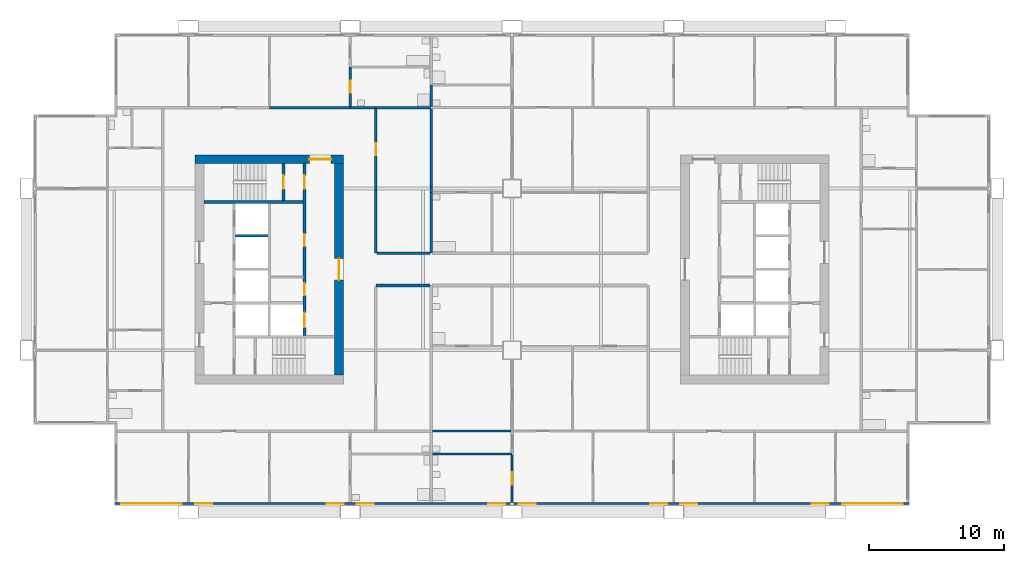
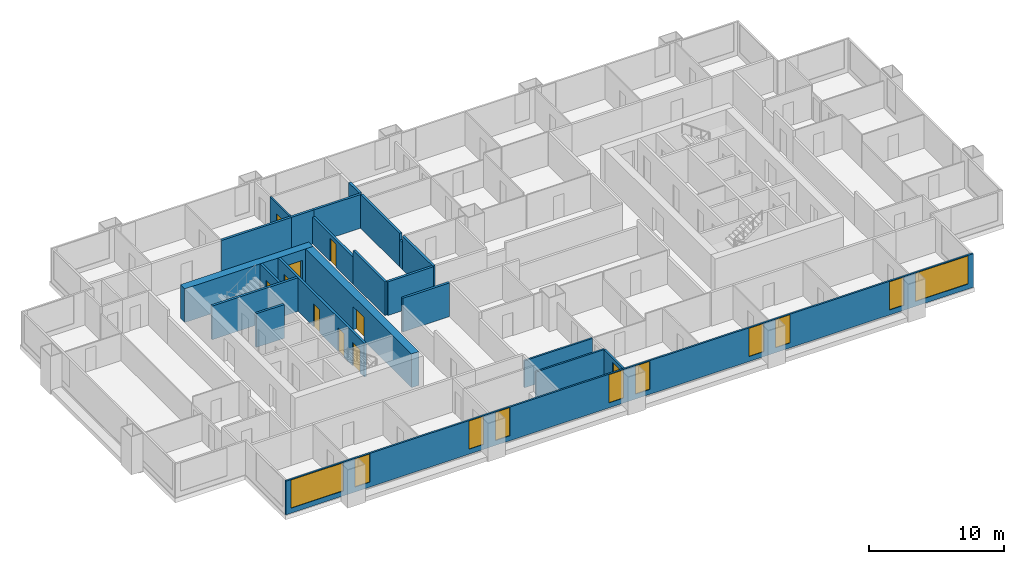
# One storey, part 4 of 11: 22 walls, 10 doors, 10 windows, 20 openings.
"""IFC4 building model written with IfcOpenShell, lengths in metres."""

from ifc_helpers import new_model, si_unit, direction, frame, frame_2d, origin, place, context, subcontext, project, spatial, rectangle, extrude, material, layer, layer_set, type_object, element, fill, save


model = new_model("IFC4")

# Units and contexts
model_context = context("Model", 3, precision=1e-05, world=origin(), true_north=direction((0.0, 1.0)))
body_context = subcontext(model_context, "Body", "Model", "MODEL_VIEW")
ifc_project = project(units=[si_unit("LENGTHUNIT", "METRE"), si_unit("AREAUNIT", "SQUARE_METRE"), si_unit("VOLUMEUNIT", "CUBIC_METRE"), si_unit("PLANEANGLEUNIT", "RADIAN"), si_unit("MASSUNIT", "GRAM", prefix="KILO")], contexts=[model_context])

# Site, building, storey
site_placement = place(None, origin())
site = spatial("IfcSite", under=ifc_project, at=site_placement, CompositionType="ELEMENT")
building_placement = place(site_placement, origin())
building = spatial("IfcBuilding", under=site, at=building_placement, Name="Kitamizu Gate Tower and Museum", CompositionType="ELEMENT")
storey_placement = place(building_placement, frame((0.0, 0.0, 106.949951171875)))
storey = spatial("IfcBuildingStorey", under=building, at=storey_placement, Name="L27", CompositionType="ELEMENT", Elevation=106.949951171875)

# Wall, opening, door
ifc_material_1 = material(Name="Concrete Fc60", Category="concrete")
ifc_layer_1 = layer(ifc_material_1, 0.64990234375)
ifc_layer_set_1 = layer_set([ifc_layer_1], Name="Concrete Fc60")
wall_type_1 = type_object("IfcWallType", Name="Core wall 650", PredefinedType="SHEAR", material=ifc_layer_set_1)
wall_1_placement = place(storey_placement, frame((12.5, 38.175048828125, 0.0), z_axis=(0.0, 0.0, 1.0), x_axis=(1.0, 0.0, 0.0)))
wall_1 = element("IfcWall", 1, at=wall_1_placement, inside=storey, type_object=wall_type_1, Name="Core wall WN", PredefinedType="SHEAR", context=body_context, shape_type="SweptSolid", body=[
    extrude(rectangle(XDim=11.0, YDim=0.64990234375, at=frame_2d((5.5, 0.0))), origin(), (0.0, 0.0, 1.0), 3.050048828125),
])
opening_1_placement = place(wall_1_placement, frame((8.47509765625, 0.0, 0.0)))
opening_1 = element("IfcOpeningElement", 2, at=opening_1_placement, cuts=wall_1, Name="Opening L27-060", PredefinedType="OPENING", context=body_context, shape_type="SweptSolid", body=[
    extrude(rectangle(XDim=1.60009765625, YDim=2.10009765625, at=frame_2d((0.800048828125, 1.050048828125))), frame((0.0, 0.3349609375, 0.0), z_axis=(0.0, -1.0, 0.0), x_axis=(1.0, 0.0, 0.0)), (0.0, 0.0, 1.0), 0.669921875),
])
ifc_material_2 = material(Name="Timber door set", Category="wood")
door_type_1 = type_object("IfcDoorType", Name="Entrance door 1600", OperationType="DOUBLE_DOOR_SINGLE_SWING", PredefinedType="DOOR", material=ifc_material_2)
door_1_placement = place(opening_1_placement, origin())
door_1 = element("IfcDoor", 3, at=door_1_placement, inside=storey, type_object=door_type_1, Name="Lobby door L27-060", OperationType="DOUBLE_DOOR_SINGLE_SWING", OverallHeight=2.10009765625, OverallWidth=1.60009765625, PredefinedType="DOOR", context=body_context, shape_type="SweptSolid", body=[
    extrude(rectangle(XDim=1.60009765625, YDim=2.10009765625, at=frame_2d((0.800048828125, 1.050048828125))), frame((0.0, 0.02490234375, 0.0), z_axis=(0.0, -1.0, 0.0), x_axis=(1.0, 0.0, 0.0)), (0.0, 0.0, 1.0), 0.050048828125),
])
fill(opening_1, door_1)

wall_2_placement = place(storey_placement, frame((23.175048828125, 22.14990234375, 0.0), z_axis=(0.0, 0.0, 1.0), x_axis=(0.0, 1.0, 0.0)))
wall_2 = element("IfcWall", 4, at=wall_2_placement, inside=storey, type_object=wall_type_1, Name="Core wall WARC", PredefinedType="SHEAR", context=body_context, shape_type="SweptSolid", body=[
    extrude(rectangle(XDim=15.7001953125, YDim=0.64990234375, at=frame_2d((7.85009765625, 0.0))), origin(), (0.0, 0.0, 1.0), 3.050048828125),
])
opening_2_placement = place(wall_2_placement, frame((7.050048828125, 0.0, 0.0)))
opening_2 = element("IfcOpeningElement", 5, at=opening_2_placement, cuts=wall_2, Name="Opening L27-061", PredefinedType="OPENING", context=body_context, shape_type="SweptSolid", body=[
    extrude(rectangle(XDim=1.60009765625, YDim=2.10009765625, at=frame_2d((0.800048828125, 1.050048828125))), frame((0.0, 0.3349609375, 0.0), z_axis=(0.0, -1.0, 0.0), x_axis=(1.0, 0.0, 0.0)), (0.0, 0.0, 1.0), 0.669921875),
])
door_2_placement = place(opening_2_placement, origin())
door_2 = element("IfcDoor", 6, at=door_2_placement, inside=storey, type_object=door_type_1, Name="Lobby door L27-061", OperationType="DOUBLE_DOOR_SINGLE_SWING", OverallHeight=2.10009765625, OverallWidth=1.60009765625, PredefinedType="DOOR", context=body_context, shape_type="SweptSolid", body=[
    extrude(rectangle(XDim=1.60009765625, YDim=2.10009765625, at=frame_2d((0.800048828125, 1.050048828125))), frame((0.0, 0.02490234375, 0.0), z_axis=(0.0, -1.0, 0.0), x_axis=(1.0, 0.0, 0.0)), (0.0, 0.0, 1.0), 0.050048828125),
])
fill(opening_2, door_2)

# Wall
ifc_material_3 = material(Name="Gypsum board on galvanised stud")
ifc_layer_2 = layer(ifc_material_3, 0.14990234375)
ifc_layer_set_2 = layer_set([ifc_layer_2], Name="Gypsum board on galvanised stud")
wall_type_2 = type_object("IfcWallType", Name="Partition 150", PredefinedType="PARTITIONING", material=ifc_layer_set_2)
wall_3_placement = place(storey_placement, frame((36.0, 16.320068359375, 0.0), z_axis=(0.0, 0.0, 1.0), x_axis=(-1.0, 0.0, 0.0)))
element("IfcWall", 7, at=wall_3_placement, inside=storey, type_object=wall_type_2, Name="Partition L27-040", PredefinedType="PARTITIONING", context=body_context, shape_type="SweptSolid", body=[
    extrude(rectangle(XDim=5.89990234375, YDim=0.14990234375, at=frame_2d((2.949951171875, 0.0))), origin(), (0.0, 0.0, 1.0), 2.449951171875),
])

# Wall, opening, door
wall_4_placement = place(storey_placement, frame((36.0, 12.719970703125, 0.0), z_axis=(0.0, 0.0, 1.0), x_axis=(0.0, 1.0, 0.0)))
wall_4 = element("IfcWall", 8, at=wall_4_placement, inside=storey, type_object=wall_type_2, Name="Partition L27-041", PredefinedType="PARTITIONING", context=body_context, shape_type="SweptSolid", body=[
    extrude(rectangle(XDim=3.525146484375, YDim=0.14990234375, at=frame_2d((1.7626953125, 0.0))), origin(), (0.0, 0.0, 1.0), 2.449951171875),
])
opening_3_placement = place(wall_4_placement, frame((1.3125, 0.0, 0.0)))
opening_3 = element("IfcOpeningElement", 9, at=opening_3_placement, cuts=wall_4, Name="Opening L27-022", PredefinedType="OPENING", context=body_context, shape_type="SweptSolid", body=[
    extrude(rectangle(XDim=0.89990234375, YDim=2.10009765625, at=frame_2d((0.449951171875, 1.050048828125))), frame((0.0, 0.0849609375, 0.0), z_axis=(0.0, -1.0, 0.0), x_axis=(1.0, 0.0, 0.0)), (0.0, 0.0, 1.0), 0.169921875),
])
ifc_material_4 = material(Name="Timber door set", Category="wood")
door_type_2 = type_object("IfcDoorType", Name="Bathroom door 900", OperationType="NOTDEFINED", PredefinedType="DOOR", material=ifc_material_4)
door_3_placement = place(opening_3_placement, origin())
door_3 = element("IfcDoor", 10, at=door_3_placement, inside=storey, type_object=door_type_2, Name="Bathroom door L27-022", OperationType="SINGLE_SWING_RIGHT", OverallHeight=2.10009765625, OverallWidth=0.89990234375, PredefinedType="DOOR", context=body_context, shape_type="SweptSolid", body=[
    extrude(rectangle(XDim=0.89990234375, YDim=2.10009765625, at=frame_2d((0.449951171875, 1.050048828125))), frame((0.0, 0.02490234375, 0.0), z_axis=(0.0, -1.0, 0.0), x_axis=(1.0, 0.0, 0.0)), (0.0, 0.0, 1.0), 0.050048828125),
])
fill(opening_3, door_3)

# Wall
wall_5_placement = place(storey_placement, frame((35.925048828125, 18.0, 0.0), z_axis=(0.0, 0.0, 1.0), x_axis=(-1.0, 0.0, 0.0)))
element("IfcWall", 11, at=wall_5_placement, inside=storey, type_object=wall_type_2, Name="Partition L27-043", PredefinedType="PARTITIONING", context=body_context, shape_type="SweptSolid", body=[
    extrude(rectangle(XDim=5.824951171875, YDim=0.14990234375, at=frame_2d((2.91259765625, 0.0))), origin(), (0.0, 0.0, 1.0), 2.449951171875),
])

# Wall, opening, door
wall_6_placement = place(storey_placement, frame((24.0, 42.10009765625, 0.0), z_axis=(0.0, 0.0, 1.0), x_axis=(0.0, 1.0, 0.0)))
wall_6 = element("IfcWall", 12, at=wall_6_placement, inside=storey, type_object=wall_type_2, Name="Partition L27-092", PredefinedType="PARTITIONING", context=body_context, shape_type="SweptSolid", body=[
    extrude(rectangle(XDim=2.89990234375, YDim=0.14990234375, at=frame_2d((1.449951171875, 0.0))), origin(), (0.0, 0.0, 1.0), 3.050048828125),
])
opening_4_placement = place(wall_6_placement, frame((1.0, 0.0, 0.0)))
opening_4 = element("IfcOpeningElement", 13, at=opening_4_placement, cuts=wall_6, Name="Opening L27-037", PredefinedType="OPENING", context=body_context, shape_type="SweptSolid", body=[
    extrude(rectangle(XDim=0.89990234375, YDim=2.10009765625, at=frame_2d((0.449951171875, 1.050048828125))), frame((0.0, 0.0849609375, 0.0), z_axis=(0.0, -1.0, 0.0), x_axis=(1.0, 0.0, 0.0)), (0.0, 0.0, 1.0), 0.169921875),
])
door_4_placement = place(opening_4_placement, frame((0.89990234375, 0.0, 0.0), x_axis=(-1.0, 0.0, 0.0)))
door_4 = element("IfcDoor", 14, at=door_4_placement, inside=storey, type_object=door_type_2, Name="Bathroom door L27-037", OperationType="SINGLE_SWING_LEFT", OverallHeight=2.10009765625, OverallWidth=0.89990234375, PredefinedType="DOOR", context=body_context, shape_type="SweptSolid", body=[
    extrude(rectangle(XDim=0.89990234375, YDim=2.10009765625, at=frame_2d((0.449951171875, 1.050048828125))), frame((0.0, 0.02490234375, 0.0), z_axis=(0.0, -1.0, 0.0), x_axis=(1.0, 0.0, 0.0)), (0.0, 0.0, 1.0), 0.050048828125),
])
fill(opening_4, door_4)

# Walls
ifc_material_5 = material(Name="Gypsum board on galvanised stud")
ifc_layer_3 = layer(ifc_material_5, 0.199951171875)
ifc_layer_set_3 = layer_set([ifc_layer_3], Name="Gypsum board on galvanised stud")
wall_type_3 = type_object("IfcWallType", Name="Partition 200", PredefinedType="PARTITIONING", material=ifc_layer_set_3)
wall_7_placement = place(storey_placement, frame((29.89990234375, 28.800048828125, 0.0), z_axis=(0.0, 0.0, 1.0), x_axis=(-1.0, 0.0, 0.0)))
element("IfcWall", 15, at=wall_7_placement, inside=storey, type_object=wall_type_3, Name="Partition L27-016", PredefinedType="PARTITIONING", context=body_context, shape_type="SweptSolid", body=[
    extrude(rectangle(XDim=4.0, YDim=0.199951171875, at=frame_2d((2.0, 0.0))), origin(), (0.0, 0.0, 1.0), 3.050048828125),
])
wall_8_placement = place(storey_placement, frame((18.0, 42.0, 0.0), z_axis=(0.0, 0.0, 1.0), x_axis=(1.0, 0.0, 0.0)))
element("IfcWall", 16, at=wall_8_placement, inside=storey, type_object=wall_type_3, Name="Partition L27-094", PredefinedType="PARTITIONING", context=body_context, shape_type="SweptSolid", body=[
    extrude(rectangle(XDim=6.0, YDim=0.199951171875, at=frame_2d((3.0, 0.0))), origin(), (0.0, 0.0, 1.0), 3.050048828125),
])
wall_9_placement = place(storey_placement, frame((25.89990234375, 42.0, 0.0), z_axis=(0.0, 0.0, 1.0), x_axis=(1.0, 0.0, 0.0)))
element("IfcWall", 17, at=wall_9_placement, inside=storey, type_object=wall_type_3, Name="Partition L27-096", PredefinedType="PARTITIONING", context=body_context, shape_type="SweptSolid", body=[
    extrude(rectangle(XDim=4.10009765625, YDim=0.199951171875, at=frame_2d((2.050048828125, 0.0))), origin(), (0.0, 0.0, 1.0), 3.050048828125),
])
wall_10_placement = place(storey_placement, frame((30.0, 42.10009765625, 0.0), z_axis=(0.0, 0.0, 1.0), x_axis=(0.0, 1.0, 0.0)))
element("IfcWall", 18, at=wall_10_placement, inside=storey, type_object=wall_type_3, Name="Partition L27-098", PredefinedType="PARTITIONING", context=body_context, shape_type="SweptSolid", body=[
    extrude(rectangle(XDim=1.579833984375, YDim=0.199951171875, at=frame_2d((0.7900390625, 0.0))), origin(), (0.0, 0.0, 1.0), 3.050048828125),
])
wall_11_placement = place(storey_placement, frame((24.0, 42.0, 0.0), z_axis=(0.0, 0.0, 1.0), x_axis=(1.0, 0.0, 0.0)))
element("IfcWall", 19, at=wall_11_placement, inside=storey, type_object=wall_type_3, Name="Partition L27-099", PredefinedType="PARTITIONING", context=body_context, shape_type="SweptSolid", body=[
    extrude(rectangle(XDim=1.89990234375, YDim=0.199951171875, at=frame_2d((0.949951171875, 0.0))), origin(), (0.0, 0.0, 1.0), 3.050048828125),
])
wall_12_placement = place(storey_placement, frame((30.0, 35.699951171875, 0.0), z_axis=(0.0, 0.0, 1.0), x_axis=(0.0, 1.0, 0.0)))
element("IfcWall", 20, at=wall_12_placement, inside=storey, type_object=wall_type_3, Name="Partition L27-101", PredefinedType="PARTITIONING", context=body_context, shape_type="SweptSolid", body=[
    extrude(rectangle(XDim=0.400146484375, YDim=0.199951171875, at=frame_2d((0.2001953125, 0.0))), origin(), (0.0, 0.0, 1.0), 2.449951171875),
])
wall_13_placement = place(storey_placement, frame((30.0, 36.10009765625, 0.0), z_axis=(0.0, 0.0, 1.0), x_axis=(0.0, 1.0, 0.0)))
element("IfcWall", 21, at=wall_13_placement, inside=storey, type_object=wall_type_3, Name="Partition L27-102", PredefinedType="PARTITIONING", context=body_context, shape_type="SweptSolid", body=[
    extrude(rectangle(XDim=5.7998046875, YDim=0.199951171875, at=frame_2d((2.89990234375, 0.0))), origin(), (0.0, 0.0, 1.0), 3.050048828125),
])
wall_14_placement = place(storey_placement, frame((30.0, 31.199951171875, 0.0), z_axis=(0.0, 0.0, 1.0), x_axis=(0.0, 1.0, 0.0)))
element("IfcWall", 22, at=wall_14_placement, inside=storey, type_object=wall_type_3, Name="Partition L27-103", PredefinedType="PARTITIONING", context=body_context, shape_type="SweptSolid", body=[
    extrude(rectangle(XDim=4.5, YDim=0.199951171875, at=frame_2d((2.25, 0.0))), origin(), (0.0, 0.0, 1.0), 3.050048828125),
])

# Wall, opening, door
wall_15_placement = place(storey_placement, frame((25.89990234375, 41.89990234375, 0.0), z_axis=(0.0, 0.0, 1.0), x_axis=(0.0, -1.0, 0.0)))
wall_15 = element("IfcWall", 23, at=wall_15_placement, inside=storey, type_object=wall_type_3, Name="Partition L27-104", PredefinedType="PARTITIONING", context=body_context, shape_type="SweptSolid", body=[
    extrude(rectangle(XDim=6.0, YDim=0.199951171875, at=frame_2d((3.0, 0.0))), origin(), (0.0, 0.0, 1.0), 2.449951171875),
])
opening_5_placement = place(wall_15_placement, frame((2.550048828125, 0.0, 0.0)))
opening_5 = element("IfcOpeningElement", 24, at=opening_5_placement, cuts=wall_15, Name="Opening L27-052", PredefinedType="OPENING", context=body_context, shape_type="SweptSolid", body=[
    extrude(rectangle(XDim=0.89990234375, YDim=2.10009765625, at=frame_2d((0.449951171875, 1.050048828125))), frame((0.0, 0.10986328125, 0.0), z_axis=(0.0, -1.0, 0.0), x_axis=(1.0, 0.0, 0.0)), (0.0, 0.0, 1.0), 0.219970703125),
])
ifc_material_6 = material(Name="Timber door set", Category="wood")
door_type_3 = type_object("IfcDoorType", Name="Room door 900", OperationType="NOTDEFINED", PredefinedType="DOOR", material=ifc_material_6)
door_5_placement = place(opening_5_placement, origin())
door_5 = element("IfcDoor", 25, at=door_5_placement, inside=storey, type_object=door_type_3, Name="Door L27-052", OperationType="SINGLE_SWING_LEFT", OverallHeight=2.10009765625, OverallWidth=0.89990234375, PredefinedType="DOOR", context=body_context, shape_type="SweptSolid", body=[
    extrude(rectangle(XDim=0.89990234375, YDim=2.10009765625, at=frame_2d((0.449951171875, 1.050048828125))), frame((0.0, 0.02490234375, 0.0), z_axis=(0.0, -1.0, 0.0), x_axis=(1.0, 0.0, 0.0)), (0.0, 0.0, 1.0), 0.050048828125),
])
fill(opening_5, door_5)

# Walls
wall_16_placement = place(storey_placement, frame((25.89990234375, 35.89990234375, 0.0), z_axis=(0.0, 0.0, 1.0), x_axis=(0.0, -1.0, 0.0)))
element("IfcWall", 26, at=wall_16_placement, inside=storey, type_object=wall_type_3, Name="Partition L27-105", PredefinedType="PARTITIONING", context=body_context, shape_type="SweptSolid", body=[
    extrude(rectangle(XDim=4.699951171875, YDim=0.199951171875, at=frame_2d((2.35009765625, 0.0))), origin(), (0.0, 0.0, 1.0), 3.050048828125),
])
wall_17_placement = place(storey_placement, frame((26.0, 31.199951171875, 0.0), z_axis=(0.0, 0.0, 1.0), x_axis=(1.0, 0.0, 0.0)))
element("IfcWall", 27, at=wall_17_placement, inside=storey, type_object=wall_type_3, Name="Partition L27-106", PredefinedType="PARTITIONING", context=body_context, shape_type="SweptSolid", body=[
    extrude(rectangle(XDim=3.89990234375, YDim=0.199951171875, at=frame_2d((1.949951171875, 0.0))), origin(), (0.0, 0.0, 1.0), 3.050048828125),
])

# Wall, openings, doors
ifc_material_7 = material(Name="Concrete Fc42", Category="concrete")
ifc_layer_4 = layer(ifc_material_7, 0.199951171875)
ifc_layer_set_4 = layer_set([ifc_layer_4], Name="Concrete Fc42")
wall_type_4 = type_object("IfcWallType", Name="Shaft wall 200", PredefinedType="SOLIDWALL", material=ifc_layer_set_4)
wall_18_placement = place(storey_placement, frame((20.60009765625, 25.10009765625, 0.0), z_axis=(0.0, 0.0, 1.0), x_axis=(0.0, 1.0, 0.0)))
wall_18 = element("IfcWall", 28, at=wall_18_placement, inside=storey, type_object=wall_type_4, Name="Shaft wall WEAST", PredefinedType="SOLIDWALL", context=body_context, shape_type="SweptSolid", body=[
    extrude(rectangle(XDim=12.75, YDim=0.199951171875, at=frame_2d((6.375, 0.0))), origin(), (0.0, 0.0, 1.0), 3.050048828125),
])
opening_6_placement = place(wall_18_placement, frame((0.60009765625, 0.0, 0.0)))
opening_6 = element("IfcOpeningElement", 29, at=opening_6_placement, cuts=wall_18, Name="Opening LD", PredefinedType="OPENING", context=body_context, shape_type="SweptSolid", body=[
    extrude(rectangle(XDim=1.10009765625, YDim=2.10009765625, at=frame_2d((0.550048828125, 1.050048828125))), frame((0.0, 0.10986328125, 0.0), z_axis=(0.0, -1.0, 0.0), x_axis=(1.0, 0.0, 0.0)), (0.0, 0.0, 1.0), 0.219970703125),
])
opening_7_placement = place(wall_18_placement, frame((10.875, 0.0, 0.0)))
opening_7 = element("IfcOpeningElement", 30, at=opening_7_placement, cuts=wall_18, Name="Opening L27-055", PredefinedType="OPENING", context=body_context, shape_type="SweptSolid", body=[
    extrude(rectangle(XDim=1.0, YDim=2.10009765625, at=frame_2d((0.5, 1.050048828125))), frame((0.0, 0.10986328125, 0.0), z_axis=(0.0, -1.0, 0.0), x_axis=(1.0, 0.0, 0.0)), (0.0, 0.0, 1.0), 0.219970703125),
])
opening_8_placement = place(wall_18_placement, frame((2.96240234375, 0.0, 0.0)))
opening_8 = element("IfcOpeningElement", 31, at=opening_8_placement, cuts=wall_18, Name="Opening L27-062", PredefinedType="OPENING", context=body_context, shape_type="SweptSolid", body=[
    extrude(rectangle(XDim=0.89990234375, YDim=2.10009765625, at=frame_2d((0.449951171875, 1.050048828125))), frame((0.0, 0.10986328125, 0.0), z_axis=(0.0, -1.0, 0.0), x_axis=(1.0, 0.0, 0.0)), (0.0, 0.0, 1.0), 0.219970703125),
])
opening_9_placement = place(wall_18_placement, frame((6.612548828125, 0.0, 0.0)))
opening_9 = element("IfcOpeningElement", 32, at=opening_9_placement, cuts=wall_18, Name="Opening L27-063", PredefinedType="OPENING", context=body_context, shape_type="SweptSolid", body=[
    extrude(rectangle(XDim=0.89990234375, YDim=2.10009765625, at=frame_2d((0.449951171875, 1.050048828125))), frame((0.0, 0.10986328125, 0.0), z_axis=(0.0, -1.0, 0.0), x_axis=(1.0, 0.0, 0.0)), (0.0, 0.0, 1.0), 0.219970703125),
])
ifc_material_8 = material(Name="Hollow metal door set")
door_type_4 = type_object("IfcDoorType", Name="Fire door 1000", OperationType="NOTDEFINED", PredefinedType="DOOR", material=ifc_material_8)
door_6_placement = place(opening_7_placement, origin())
door_6 = element("IfcDoor", 33, at=door_6_placement, inside=storey, type_object=door_type_4, Name="Stair lobby door L27-055", OperationType="SINGLE_SWING_RIGHT", OverallHeight=2.10009765625, OverallWidth=1.0, PredefinedType="DOOR", context=body_context, shape_type="SweptSolid", body=[
    extrude(rectangle(XDim=1.0, YDim=2.10009765625, at=frame_2d((0.5, 1.050048828125))), frame((0.0, 0.02490234375, 0.0), z_axis=(0.0, -1.0, 0.0), x_axis=(1.0, 0.0, 0.0)), (0.0, 0.0, 1.0), 0.050048828125),
])
fill(opening_7, door_6)
ifc_material_9 = material(Name="Hollow metal door set")
door_type_5 = type_object("IfcDoorType", Name="Landing door 1100", OperationType="SLIDING_TO_LEFT", PredefinedType="DOOR", material=ifc_material_9)
door_7_placement = place(opening_6_placement, origin())
door_7 = element("IfcDoor", 34, at=door_7_placement, inside=storey, type_object=door_type_5, Name="Landing door WSV1", OperationType="SLIDING_TO_LEFT", OverallHeight=2.10009765625, OverallWidth=1.10009765625, PredefinedType="DOOR", context=body_context, shape_type="SweptSolid", body=[
    extrude(rectangle(XDim=1.10009765625, YDim=2.10009765625, at=frame_2d((0.550048828125, 1.050048828125))), frame((0.0, 0.02490234375, 0.0), z_axis=(0.0, -1.0, 0.0), x_axis=(1.0, 0.0, 0.0)), (0.0, 0.0, 1.0), 0.050048828125),
])
fill(opening_6, door_7)
ifc_material_10 = material(Name="Timber door set", Category="wood")
door_type_6 = type_object("IfcDoorType", Name="Service door 900", OperationType="NOTDEFINED", PredefinedType="DOOR", material=ifc_material_10)
door_8_placement = place(opening_8_placement, origin())
door_8 = element("IfcDoor", 35, at=door_8_placement, inside=storey, type_object=door_type_6, Name="Service door L27-062", OperationType="SINGLE_SWING_RIGHT", OverallHeight=2.10009765625, OverallWidth=0.89990234375, PredefinedType="DOOR", context=body_context, shape_type="SweptSolid", body=[
    extrude(rectangle(XDim=0.89990234375, YDim=2.10009765625, at=frame_2d((0.449951171875, 1.050048828125))), frame((0.0, 0.02490234375, 0.0), z_axis=(0.0, -1.0, 0.0), x_axis=(1.0, 0.0, 0.0)), (0.0, 0.0, 1.0), 0.050048828125),
])
fill(opening_8, door_8)
door_9_placement = place(opening_9_placement, origin())
door_9 = element("IfcDoor", 36, at=door_9_placement, inside=storey, type_object=door_type_6, Name="Service door L27-063", OperationType="SINGLE_SWING_LEFT", OverallHeight=2.10009765625, OverallWidth=0.89990234375, PredefinedType="DOOR", context=body_context, shape_type="SweptSolid", body=[
    extrude(rectangle(XDim=0.89990234375, YDim=2.10009765625, at=frame_2d((0.449951171875, 1.050048828125))), frame((0.0, 0.02490234375, 0.0), z_axis=(0.0, -1.0, 0.0), x_axis=(1.0, 0.0, 0.0)), (0.0, 0.0, 1.0), 0.050048828125),
])
fill(opening_9, door_9)

# Wall
wall_19_placement = place(storey_placement, frame((13.14990234375, 35.0, 0.0), z_axis=(0.0, 0.0, 1.0), x_axis=(1.0, 0.0, 0.0)))
element("IfcWall", 37, at=wall_19_placement, inside=storey, type_object=wall_type_4, Name="Shaft wall WNB", PredefinedType="SOLIDWALL", context=body_context, shape_type="SweptSolid", body=[
    extrude(rectangle(XDim=7.35009765625, YDim=0.199951171875, at=frame_2d((3.675048828125, 0.0))), origin(), (0.0, 0.0, 1.0), 3.050048828125),
])

# Wall, opening, door
wall_20_placement = place(storey_placement, frame((19.050048828125, 35.10009765625, 0.0), z_axis=(0.0, 0.0, 1.0), x_axis=(0.0, 1.0, 0.0)))
wall_20 = element("IfcWall", 38, at=wall_20_placement, inside=storey, type_object=wall_type_4, Name="Shaft wall WNZ", PredefinedType="SOLIDWALL", context=body_context, shape_type="SweptSolid", body=[
    extrude(rectangle(XDim=2.75, YDim=0.199951171875, at=frame_2d((1.375, 0.0))), origin(), (0.0, 0.0, 1.0), 3.050048828125),
])
opening_10_placement = place(wall_20_placement, frame((0.875, 0.0, 0.0)))
opening_10 = element("IfcOpeningElement", 39, at=opening_10_placement, cuts=wall_20, Name="Opening L27-056", PredefinedType="OPENING", context=body_context, shape_type="SweptSolid", body=[
    extrude(rectangle(XDim=1.0, YDim=2.10009765625, at=frame_2d((0.5, 1.050048828125))), frame((0.0, 0.10986328125, 0.0), z_axis=(0.0, -1.0, 0.0), x_axis=(1.0, 0.0, 0.0)), (0.0, 0.0, 1.0), 0.219970703125),
])
door_10_placement = place(opening_10_placement, origin())
door_10 = element("IfcDoor", 40, at=door_10_placement, inside=storey, type_object=door_type_4, Name="Stair door L27-056", OperationType="SINGLE_SWING_LEFT", OverallHeight=2.10009765625, OverallWidth=1.0, PredefinedType="DOOR", context=body_context, shape_type="SweptSolid", body=[
    extrude(rectangle(XDim=1.0, YDim=2.10009765625, at=frame_2d((0.5, 1.050048828125))), frame((0.0, 0.02490234375, 0.0), z_axis=(0.0, -1.0, 0.0), x_axis=(1.0, 0.0, 0.0)), (0.0, 0.0, 1.0), 0.050048828125),
])
fill(opening_10, door_10)

# Wall
wall_21_placement = place(storey_placement, frame((15.5, 32.5, 0.0), z_axis=(0.0, 0.0, 1.0), x_axis=(1.0, 0.0, 0.0)))
element("IfcWall", 41, at=wall_21_placement, inside=storey, type_object=wall_type_4, Name="Shaft wall WDVW2", PredefinedType="SOLIDWALL", context=body_context, shape_type="SweptSolid", body=[
    extrude(rectangle(XDim=2.39990234375, YDim=0.199951171875, at=frame_2d((1.199951171875, 0.0))), origin(), (0.0, 0.0, 1.0), 3.050048828125),
])

# Wall, openings, windows
ifc_material_11 = material(Name="Bronze anodised aluminium frame with insulated spandrel and tinted glass", Category="aluminium")
ifc_layer_5 = layer(ifc_material_11, 0.14990234375)
ifc_layer_set_5 = layer_set([ifc_layer_5], Name="Bronze anodised aluminium frame with insulated spandrel and tinted glass")
wall_type_5 = type_object("IfcWallType", Name="WINDOW WALL 150 BRONZE FRAME EI 30", PredefinedType="ELEMENTEDWALL", material=ifc_layer_set_5)
wall_22_placement = place(storey_placement, frame((6.56005859375, 12.635009765625, 0.0), z_axis=(0.0, 0.0, 1.0), x_axis=(1.0, 0.0, 0.0)))
wall_22 = element("IfcWall", 42, at=wall_22_placement, inside=storey, type_object=wall_type_5, Name="Window wall south L27", PredefinedType="ELEMENTEDWALL", context=body_context, shape_type="SweptSolid", body=[
    extrude(rectangle(XDim=58.8798828125, YDim=0.14990234375, at=frame_2d((29.43994140625, 0.0))), origin(), (0.0, 0.0, 1.0), 3.050048828125),
])
opening_11_placement = place(wall_22_placement, frame((0.43994140625, 0.0, 0.449951171875)))
opening_11 = element("IfcOpeningElement", 43, at=opening_11_placement, cuts=wall_22, Name="Opening W15", PredefinedType="OPENING", context=body_context, shape_type="SweptSolid", body=[
    extrude(rectangle(XDim=4.5, YDim=2.550048828125, at=frame_2d((2.25, 1.27490234375))), frame((0.0, 0.0849609375, 0.0), z_axis=(0.0, -1.0, 0.0), x_axis=(1.0, 0.0, 0.0)), (0.0, 0.0, 1.0), 0.169921875),
])
opening_12_placement = place(wall_22_placement, frame((5.93994140625, 0.0, 0.449951171875)))
opening_12 = element("IfcOpeningElement", 44, at=opening_12_placement, cuts=wall_22, Name="Opening W27", PredefinedType="OPENING", context=body_context, shape_type="SweptSolid", body=[
    extrude(rectangle(XDim=1.25, YDim=2.550048828125, at=frame_2d((0.625, 1.27490234375))), frame((0.0, 0.0849609375, 0.0), z_axis=(0.0, -1.0, 0.0), x_axis=(1.0, 0.0, 0.0)), (0.0, 0.0, 1.0), 0.169921875),
])
opening_13_placement = place(wall_22_placement, frame((15.68994140625, 0.0, 0.449951171875)))
opening_13 = element("IfcOpeningElement", 45, at=opening_13_placement, cuts=wall_22, Name="Opening W27", PredefinedType="OPENING", context=body_context, shape_type="SweptSolid", body=[
    extrude(rectangle(XDim=1.25, YDim=2.550048828125, at=frame_2d((0.625, 1.27490234375))), frame((0.0, 0.0849609375, 0.0), z_axis=(0.0, -1.0, 0.0), x_axis=(1.0, 0.0, 0.0)), (0.0, 0.0, 1.0), 0.169921875),
])
opening_14_placement = place(wall_22_placement, frame((17.93994140625, 0.0, 0.449951171875)))
opening_14 = element("IfcOpeningElement", 46, at=opening_14_placement, cuts=wall_22, Name="Opening W27", PredefinedType="OPENING", context=body_context, shape_type="SweptSolid", body=[
    extrude(rectangle(XDim=1.25, YDim=2.550048828125, at=frame_2d((0.625, 1.27490234375))), frame((0.0, 0.0849609375, 0.0), z_axis=(0.0, -1.0, 0.0), x_axis=(1.0, 0.0, 0.0)), (0.0, 0.0, 1.0), 0.169921875),
])
opening_15_placement = place(wall_22_placement, frame((27.68994140625, 0.0, 0.449951171875)))
opening_15 = element("IfcOpeningElement", 47, at=opening_15_placement, cuts=wall_22, Name="Opening W27", PredefinedType="OPENING", context=body_context, shape_type="SweptSolid", body=[
    extrude(rectangle(XDim=1.25, YDim=2.550048828125, at=frame_2d((0.625, 1.27490234375))), frame((0.0, 0.0849609375, 0.0), z_axis=(0.0, -1.0, 0.0), x_axis=(1.0, 0.0, 0.0)), (0.0, 0.0, 1.0), 0.169921875),
])
opening_16_placement = place(wall_22_placement, frame((29.93994140625, 0.0, 0.449951171875)))
opening_16 = element("IfcOpeningElement", 48, at=opening_16_placement, cuts=wall_22, Name="Opening W27", PredefinedType="OPENING", context=body_context, shape_type="SweptSolid", body=[
    extrude(rectangle(XDim=1.25, YDim=2.550048828125, at=frame_2d((0.625, 1.27490234375))), frame((0.0, 0.0849609375, 0.0), z_axis=(0.0, -1.0, 0.0), x_axis=(1.0, 0.0, 0.0)), (0.0, 0.0, 1.0), 0.169921875),
])
opening_17_placement = place(wall_22_placement, frame((39.68994140625, 0.0, 0.449951171875)))
opening_17 = element("IfcOpeningElement", 49, at=opening_17_placement, cuts=wall_22, Name="Opening W27", PredefinedType="OPENING", context=body_context, shape_type="SweptSolid", body=[
    extrude(rectangle(XDim=1.25, YDim=2.550048828125, at=frame_2d((0.625, 1.27490234375))), frame((0.0, 0.0849609375, 0.0), z_axis=(0.0, -1.0, 0.0), x_axis=(1.0, 0.0, 0.0)), (0.0, 0.0, 1.0), 0.169921875),
])
opening_18_placement = place(wall_22_placement, frame((41.93994140625, 0.0, 0.449951171875)))
opening_18 = element("IfcOpeningElement", 50, at=opening_18_placement, cuts=wall_22, Name="Opening W27", PredefinedType="OPENING", context=body_context, shape_type="SweptSolid", body=[
    extrude(rectangle(XDim=1.25, YDim=2.550048828125, at=frame_2d((0.625, 1.27490234375))), frame((0.0, 0.0849609375, 0.0), z_axis=(0.0, -1.0, 0.0), x_axis=(1.0, 0.0, 0.0)), (0.0, 0.0, 1.0), 0.169921875),
])
opening_19_placement = place(wall_22_placement, frame((51.68994140625, 0.0, 0.449951171875)))
opening_19 = element("IfcOpeningElement", 51, at=opening_19_placement, cuts=wall_22, Name="Opening W27", PredefinedType="OPENING", context=body_context, shape_type="SweptSolid", body=[
    extrude(rectangle(XDim=1.25, YDim=2.550048828125, at=frame_2d((0.625, 1.27490234375))), frame((0.0, 0.0849609375, 0.0), z_axis=(0.0, -1.0, 0.0), x_axis=(1.0, 0.0, 0.0)), (0.0, 0.0, 1.0), 0.169921875),
])
opening_20_placement = place(wall_22_placement, frame((53.93994140625, 0.0, 0.449951171875)))
opening_20 = element("IfcOpeningElement", 52, at=opening_20_placement, cuts=wall_22, Name="Opening W15", PredefinedType="OPENING", context=body_context, shape_type="SweptSolid", body=[
    extrude(rectangle(XDim=4.5, YDim=2.550048828125, at=frame_2d((2.25, 1.27490234375))), frame((0.0, 0.0849609375, 0.0), z_axis=(0.0, -1.0, 0.0), x_axis=(1.0, 0.0, 0.0)), (0.0, 0.0, 1.0), 0.169921875),
])
ifc_material_12 = material(Name="Bronze anodised aluminium frame, tinted triple glazing", Category="aluminium")
window_type_1 = type_object("IfcWindowType", Name="WINDOW 1250 x 2550 SILL 450", PartitioningType="SINGLE_PANEL", PredefinedType="WINDOW", material=ifc_material_12)
window_1_placement = place(opening_12_placement, origin())
window_1 = element("IfcWindow", 53, at=window_1_placement, inside=storey, type_object=window_type_1, Name="Window W27 L27", OverallHeight=2.550048828125, OverallWidth=1.25, PartitioningType="SINGLE_PANEL", PredefinedType="WINDOW", context=body_context, shape_type="SweptSolid", body=[
    extrude(rectangle(XDim=1.25, YDim=2.550048828125, at=frame_2d((0.625, 1.27490234375))), frame((0.0, 0.030029296875, 0.0), z_axis=(0.0, -1.0, 0.0), x_axis=(1.0, 0.0, 0.0)), (0.0, 0.0, 1.0), 0.06005859375),
])
fill(opening_12, window_1)
window_2_placement = place(opening_13_placement, origin())
window_2 = element("IfcWindow", 54, at=window_2_placement, inside=storey, type_object=window_type_1, Name="Window W27 L27", OverallHeight=2.550048828125, OverallWidth=1.25, PartitioningType="SINGLE_PANEL", PredefinedType="WINDOW", context=body_context, shape_type="SweptSolid", body=[
    extrude(rectangle(XDim=1.25, YDim=2.550048828125, at=frame_2d((0.625, 1.27490234375))), frame((0.0, 0.030029296875, 0.0), z_axis=(0.0, -1.0, 0.0), x_axis=(1.0, 0.0, 0.0)), (0.0, 0.0, 1.0), 0.06005859375),
])
fill(opening_13, window_2)
window_3_placement = place(opening_14_placement, origin())
window_3 = element("IfcWindow", 55, at=window_3_placement, inside=storey, type_object=window_type_1, Name="Window W27 L27", OverallHeight=2.550048828125, OverallWidth=1.25, PartitioningType="SINGLE_PANEL", PredefinedType="WINDOW", context=body_context, shape_type="SweptSolid", body=[
    extrude(rectangle(XDim=1.25, YDim=2.550048828125, at=frame_2d((0.625, 1.27490234375))), frame((0.0, 0.030029296875, 0.0), z_axis=(0.0, -1.0, 0.0), x_axis=(1.0, 0.0, 0.0)), (0.0, 0.0, 1.0), 0.06005859375),
])
fill(opening_14, window_3)
window_4_placement = place(opening_15_placement, origin())
window_4 = element("IfcWindow", 56, at=window_4_placement, inside=storey, type_object=window_type_1, Name="Window W27 L27", OverallHeight=2.550048828125, OverallWidth=1.25, PartitioningType="SINGLE_PANEL", PredefinedType="WINDOW", context=body_context, shape_type="SweptSolid", body=[
    extrude(rectangle(XDim=1.25, YDim=2.550048828125, at=frame_2d((0.625, 1.27490234375))), frame((0.0, 0.030029296875, 0.0), z_axis=(0.0, -1.0, 0.0), x_axis=(1.0, 0.0, 0.0)), (0.0, 0.0, 1.0), 0.06005859375),
])
fill(opening_15, window_4)
window_5_placement = place(opening_16_placement, origin())
window_5 = element("IfcWindow", 57, at=window_5_placement, inside=storey, type_object=window_type_1, Name="Window W27 L27", OverallHeight=2.550048828125, OverallWidth=1.25, PartitioningType="SINGLE_PANEL", PredefinedType="WINDOW", context=body_context, shape_type="SweptSolid", body=[
    extrude(rectangle(XDim=1.25, YDim=2.550048828125, at=frame_2d((0.625, 1.27490234375))), frame((0.0, 0.030029296875, 0.0), z_axis=(0.0, -1.0, 0.0), x_axis=(1.0, 0.0, 0.0)), (0.0, 0.0, 1.0), 0.06005859375),
])
fill(opening_16, window_5)
window_6_placement = place(opening_17_placement, origin())
window_6 = element("IfcWindow", 58, at=window_6_placement, inside=storey, type_object=window_type_1, Name="Window W27 L27", OverallHeight=2.550048828125, OverallWidth=1.25, PartitioningType="SINGLE_PANEL", PredefinedType="WINDOW", context=body_context, shape_type="SweptSolid", body=[
    extrude(rectangle(XDim=1.25, YDim=2.550048828125, at=frame_2d((0.625, 1.27490234375))), frame((0.0, 0.030029296875, 0.0), z_axis=(0.0, -1.0, 0.0), x_axis=(1.0, 0.0, 0.0)), (0.0, 0.0, 1.0), 0.06005859375),
])
fill(opening_17, window_6)
window_7_placement = place(opening_18_placement, origin())
window_7 = element("IfcWindow", 59, at=window_7_placement, inside=storey, type_object=window_type_1, Name="Window W27 L27", OverallHeight=2.550048828125, OverallWidth=1.25, PartitioningType="SINGLE_PANEL", PredefinedType="WINDOW", context=body_context, shape_type="SweptSolid", body=[
    extrude(rectangle(XDim=1.25, YDim=2.550048828125, at=frame_2d((0.625, 1.27490234375))), frame((0.0, 0.030029296875, 0.0), z_axis=(0.0, -1.0, 0.0), x_axis=(1.0, 0.0, 0.0)), (0.0, 0.0, 1.0), 0.06005859375),
])
fill(opening_18, window_7)
window_8_placement = place(opening_19_placement, origin())
window_8 = element("IfcWindow", 60, at=window_8_placement, inside=storey, type_object=window_type_1, Name="Window W27 L27", OverallHeight=2.550048828125, OverallWidth=1.25, PartitioningType="SINGLE_PANEL", PredefinedType="WINDOW", context=body_context, shape_type="SweptSolid", body=[
    extrude(rectangle(XDim=1.25, YDim=2.550048828125, at=frame_2d((0.625, 1.27490234375))), frame((0.0, 0.030029296875, 0.0), z_axis=(0.0, -1.0, 0.0), x_axis=(1.0, 0.0, 0.0)), (0.0, 0.0, 1.0), 0.06005859375),
])
fill(opening_19, window_8)
ifc_material_13 = material(Name="Bronze anodised aluminium frame, tinted triple glazing", Category="aluminium")
window_type_2 = type_object("IfcWindowType", Name="WINDOW 4500 x 2550 SILL 450", PartitioningType="SINGLE_PANEL", PredefinedType="WINDOW", material=ifc_material_13)
window_9_placement = place(opening_11_placement, origin())
window_9 = element("IfcWindow", 61, at=window_9_placement, inside=storey, type_object=window_type_2, Name="Window W15 L27", OverallHeight=2.550048828125, OverallWidth=4.5, PartitioningType="SINGLE_PANEL", PredefinedType="WINDOW", context=body_context, shape_type="SweptSolid", body=[
    extrude(rectangle(XDim=4.5, YDim=2.550048828125, at=frame_2d((2.25, 1.27490234375))), frame((0.0, 0.030029296875, 0.0), z_axis=(0.0, -1.0, 0.0), x_axis=(1.0, 0.0, 0.0)), (0.0, 0.0, 1.0), 0.06005859375),
])
fill(opening_11, window_9)
window_10_placement = place(opening_20_placement, origin())
window_10 = element("IfcWindow", 62, at=window_10_placement, inside=storey, type_object=window_type_2, Name="Window W15 L27", OverallHeight=2.550048828125, OverallWidth=4.5, PartitioningType="SINGLE_PANEL", PredefinedType="WINDOW", context=body_context, shape_type="SweptSolid", body=[
    extrude(rectangle(XDim=4.5, YDim=2.550048828125, at=frame_2d((2.25, 1.27490234375))), frame((0.0, 0.030029296875, 0.0), z_axis=(0.0, -1.0, 0.0), x_axis=(1.0, 0.0, 0.0)), (0.0, 0.0, 1.0), 0.06005859375),
])
fill(opening_20, window_10)

save(model, "model.ifc")
